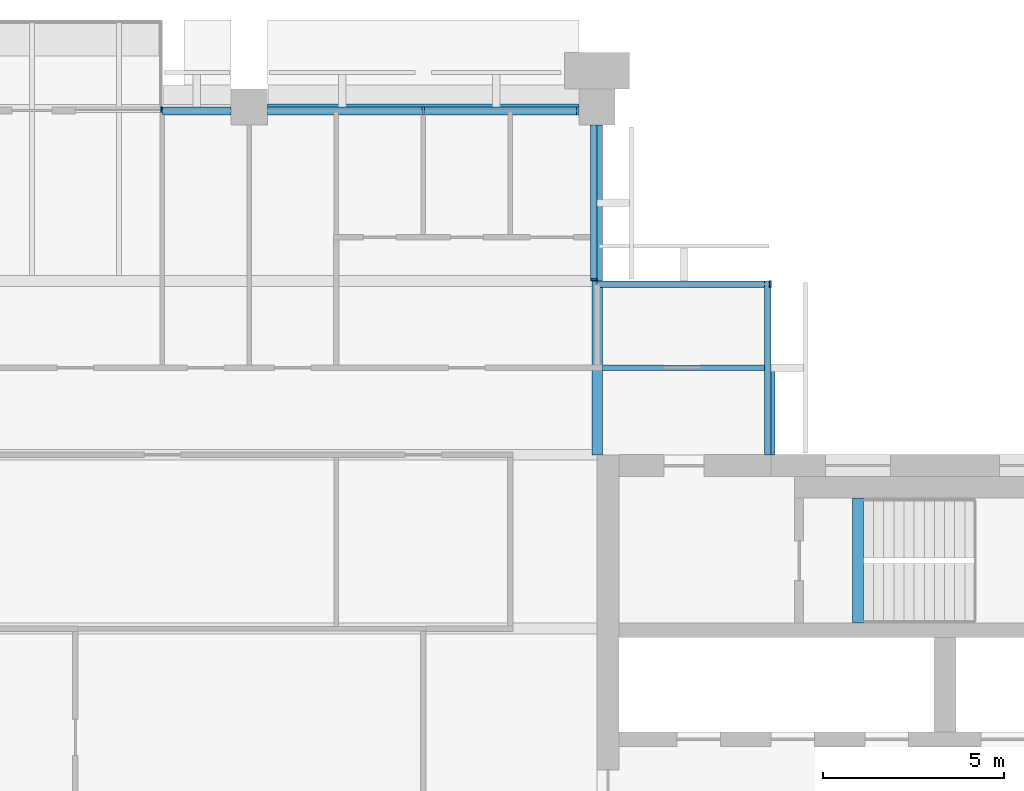
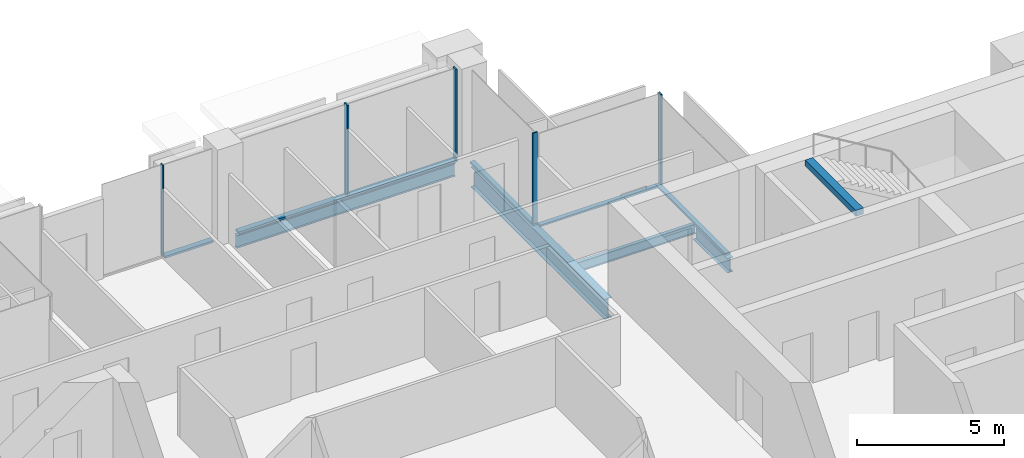
# One storey, part 6 of 13: 10 members, 5 beams, 5 elements without a shape of their own.
"""IFC4 building model written with IfcOpenShell, lengths in metres."""

from ifc_helpers import new_model, si_unit, direction, frame, origin, origin_2d, place, context, subcontext, project, spatial, rectangle, i_section, extrude, material, material_profile, profile_set, type_object, element, aggregate, save


model = new_model("IFC4")

# Units and contexts
model_context = context("Model", 3, precision=1e-05, world=origin(), true_north=direction((0.0, 1.0)))
body_context = subcontext(model_context, "Body", "Model", "MODEL_VIEW")
ifc_project = project(units=[si_unit("LENGTHUNIT", "METRE"), si_unit("AREAUNIT", "SQUARE_METRE"), si_unit("VOLUMEUNIT", "CUBIC_METRE"), si_unit("PLANEANGLEUNIT", "RADIAN"), si_unit("MASSUNIT", "GRAM", prefix="KILO")], contexts=[model_context])

# Site, building, storey
site_placement = place(None, origin())
site = spatial("IfcSite", under=ifc_project, at=site_placement, CompositionType="ELEMENT")
building_placement = place(site_placement, origin())
building = spatial("IfcBuilding", under=site, at=building_placement, Name="Baori Bourse Tower", CompositionType="ELEMENT")
storey_placement = place(building_placement, frame((0.0, 0.0, 314.300048828125)))
storey = spatial("IfcBuildingStorey", under=building, at=storey_placement, Name="L69", CompositionType="ELEMENT", Elevation=314.300048828125)

# Curtain wall, member
ifc_material_1 = material(Name="Pale anodised aluminium", Category="aluminium")
curtain_wall_type_1 = type_object("IfcCurtainWallType", Name="CW2 Curtain wall", PredefinedType="NOTDEFINED", material=ifc_material_1)
curtain_wall_1_placement = place(storey_placement, origin())
curtain_wall_1 = element("IfcCurtainWall", 1, at=curtain_wall_1_placement, inside=storey, type_object=curtain_wall_type_1, Name="Curtain wall CW2 L69 2", PredefinedType="NOTDEFINED")
ifc_material_2 = material(Name="Pale anodised aluminium", Category="aluminium")
ifc_material_profile_1 = material_profile(ifc_material_2, rectangle(XDim=0.179931640625, YDim=0.054931640625, at=origin_2d()), Name="Mullion 55x180")
ifc_profile_set_1 = profile_set([ifc_material_profile_1], Name="Pale anodised aluminium")
member_type_1 = type_object("IfcMemberType", Name="CW2 Curtain wall mullion", PredefinedType="MULLION", material=ifc_profile_set_1)
member_1_placement = place(storey_placement, frame((43.172607421875, 43.110107421875, 0.070068359375), z_axis=(0.0, 0.0, 1.0), x_axis=(0.0, -1.0, 0.0)))
member_1 = element("IfcMember", 2, at=member_1_placement, type_object=member_type_1, Name="Curtain wall CW2 mullion", PredefinedType="MULLION", context=body_context, shape_type="SweptSolid", body=[
    extrude(rectangle(XDim=0.179931640625, YDim=0.054931640625, at=origin_2d()), origin(), (0.0, 0.0, 1.0), 3.769775390625),
])

curtain_wall_2_placement = place(storey_placement, origin())
curtain_wall_2 = element("IfcCurtainWall", 3, at=curtain_wall_2_placement, inside=storey, type_object=curtain_wall_type_1, Name="Curtain wall CW2 L69 3", PredefinedType="NOTDEFINED")
member_2_placement = place(storey_placement, frame((38.31005859375, 43.2275390625, 0.070068359375), z_axis=(0.0, 0.0, 1.0), x_axis=(-1.0, 0.0, 0.0)))
member_2 = element("IfcMember", 4, at=member_2_placement, type_object=member_type_1, Name="Curtain wall CW2 mullion", PredefinedType="MULLION", context=body_context, shape_type="SweptSolid", body=[
    extrude(rectangle(XDim=0.179931640625, YDim=0.054931640625, at=origin_2d()), origin(), (0.0, 0.0, 1.0), 3.769775390625),
])

curtain_wall_3_placement = place(storey_placement, origin())
curtain_wall_3 = element("IfcCurtainWall", 5, at=curtain_wall_3_placement, inside=storey, type_object=curtain_wall_type_1, Name="Curtain wall CW2 L69 1", PredefinedType="NOTDEFINED")
ifc_material_3 = material(Name="Pale anodised aluminium", Category="aluminium")
ifc_material_profile_2 = material_profile(ifc_material_3, rectangle(XDim=0.179931640625, YDim=0.070068359375, at=origin_2d()), Name="Transom 70x180")
ifc_profile_set_2 = profile_set([ifc_material_profile_2], Name="Pale anodised aluminium")
member_type_2 = type_object("IfcMemberType", Name="CW2 Curtain wall transom", PredefinedType="USERDEFINED", material=ifc_profile_set_2)
member_3_placement = place(storey_placement, frame((43.110107421875, 38.39990234375, 0.034912109375), z_axis=(0.0, 1.0, 0.0), x_axis=(-1.0, 0.0, 0.0)))
member_3 = element("IfcMember", 6, at=member_3_placement, type_object=member_type_2, Name="Curtain wall CW2 sill rail", ObjectType="TRANSOM", PredefinedType="USERDEFINED", context=body_context, shape_type="SweptSolid", body=[
    extrude(rectangle(XDim=0.179931640625, YDim=0.070068359375, at=origin_2d()), origin(), (0.0, 0.0, 1.0), 4.800048828125),
])
aggregate(curtain_wall_3, [member_3])

# Member
member_4_placement = place(storey_placement, frame((43.199951171875, 43.110107421875, 0.034912109375), z_axis=(-1.0, 0.0, 0.0), x_axis=(0.0, -1.0, 0.0)))
member_4 = element("IfcMember", 7, at=member_4_placement, type_object=member_type_2, Name="Curtain wall CW2 sill rail", ObjectType="TRANSOM", PredefinedType="USERDEFINED", context=body_context, shape_type="SweptSolid", body=[
    extrude(rectangle(XDim=0.179931640625, YDim=0.070068359375, at=origin_2d()), origin(), (0.0, 0.0, 1.0), 4.800048828125),
])

aggregate(curtain_wall_1, [member_4, member_1])

member_5_placement = place(storey_placement, frame((38.31005859375, 43.199951171875, 0.034912109375), z_axis=(0.0, 1.0, 0.0), x_axis=(-1.0, 0.0, 0.0)))
member_5 = element("IfcMember", 8, at=member_5_placement, type_object=member_type_2, Name="Curtain wall CW2 sill rail", ObjectType="TRANSOM", PredefinedType="USERDEFINED", context=body_context, shape_type="SweptSolid", body=[
    extrude(rectangle(XDim=0.179931640625, YDim=0.070068359375, at=origin_2d()), origin(), (0.0, 0.0, 1.0), 4.300048828125),
])

aggregate(curtain_wall_2, [member_5, member_2])

# Curtain wall, members
ifc_material_4 = material(Name="Pale anodised aluminium", Category="aluminium")
curtain_wall_type_2 = type_object("IfcCurtainWallType", Name="CW5 Curtain wall", PredefinedType="NOTDEFINED", material=ifc_material_4)
curtain_wall_4_placement = place(storey_placement, origin())
curtain_wall_4 = element("IfcCurtainWall", 9, at=curtain_wall_4_placement, inside=storey, type_object=curtain_wall_type_2, Name="Curtain wall CW5 L69 4", PredefinedType="NOTDEFINED")
ifc_material_5 = material(Name="Pale anodised aluminium", Category="aluminium")
ifc_material_profile_3 = material_profile(ifc_material_5, rectangle(XDim=0.219970703125, YDim=0.06494140625, at=origin_2d()), Name="Mullion 65x220")
ifc_profile_set_3 = profile_set([ifc_material_profile_3], Name="Pale anodised aluminium")
member_type_3 = type_object("IfcMemberType", Name="CW5 Curtain wall mullion", PredefinedType="MULLION", material=ifc_profile_set_3)
member_6_placement = place(storey_placement, frame((37.867431640625, 47.889892578125, 0.0849609375), z_axis=(0.0, 0.0, 1.0), x_axis=(0.0, -1.0, 0.0)))
member_6 = element("IfcMember", 10, at=member_6_placement, type_object=member_type_3, Name="Curtain wall CW5 mullion", PredefinedType="MULLION", context=body_context, shape_type="SweptSolid", body=[
    extrude(rectangle(XDim=0.219970703125, YDim=0.06494140625, at=origin_2d()), origin(), (0.0, 0.0, 1.0), 3.7548828125),
])
member_7_placement = place(storey_placement, frame((33.60009765625, 47.889892578125, 0.0849609375), z_axis=(0.0, 0.0, 1.0), x_axis=(0.0, -1.0, 0.0)))
member_7 = element("IfcMember", 11, at=member_7_placement, type_object=member_type_3, Name="Curtain wall CW5 mullion", PredefinedType="MULLION", context=body_context, shape_type="SweptSolid", body=[
    extrude(rectangle(XDim=0.219970703125, YDim=0.06494140625, at=origin_2d()), origin(), (0.0, 0.0, 1.0), 3.7548828125),
])
ifc_material_6 = material(Name="Pale anodised aluminium", Category="aluminium")
ifc_material_profile_4 = material_profile(ifc_material_6, rectangle(XDim=0.219970703125, YDim=0.0849609375, at=origin_2d()), Name="Transom 85x220")
ifc_profile_set_4 = profile_set([ifc_material_profile_4], Name="Pale anodised aluminium")
member_type_4 = type_object("IfcMemberType", Name="CW5 Curtain wall transom", PredefinedType="USERDEFINED", material=ifc_profile_set_4)
member_8_placement = place(storey_placement, frame((37.89990234375, 47.889892578125, 0.04248046875), z_axis=(-1.0, 0.0, 0.0), x_axis=(0.0, -1.0, 0.0)))
member_8 = element("IfcMember", 12, at=member_8_placement, type_object=member_type_4, Name="Curtain wall CW5 sill rail", ObjectType="TRANSOM", PredefinedType="USERDEFINED", context=body_context, shape_type="SweptSolid", body=[
    extrude(rectangle(XDim=0.219970703125, YDim=0.0849609375, at=origin_2d()), origin(), (0.0, 0.0, 1.0), 8.599853515625),
])
member_9_placement = place(storey_placement, frame((28.300048828125, 47.889892578125, 0.04248046875), z_axis=(-1.0, 0.0, 0.0), x_axis=(0.0, -1.0, 0.0)))
member_9 = element("IfcMember", 13, at=member_9_placement, type_object=member_type_4, Name="Curtain wall CW5 sill rail", ObjectType="TRANSOM", PredefinedType="USERDEFINED", context=body_context, shape_type="SweptSolid", body=[
    extrude(rectangle(XDim=0.219970703125, YDim=0.0849609375, at=origin_2d()), origin(), (0.0, 0.0, 1.0), 1.900146484375),
])
aggregate(curtain_wall_4, [member_8, member_6, member_7, member_9])

# Curtain wall, member
ifc_material_7 = material(Name="Pale anodised aluminium", Category="aluminium")
curtain_wall_type_3 = type_object("IfcCurtainWallType", Name="CW6 Curtain wall", PredefinedType="NOTDEFINED", material=ifc_material_7)
curtain_wall_5_placement = place(storey_placement, origin())
curtain_wall_5 = element("IfcCurtainWall", 14, at=curtain_wall_5_placement, inside=storey, type_object=curtain_wall_type_3, Name="Curtain wall CW6 L69 5", PredefinedType="NOTDEFINED")
ifc_material_8 = material(Name="Pale anodised aluminium", Category="aluminium")
ifc_material_profile_5 = material_profile(ifc_material_8, rectangle(XDim=0.14990234375, YDim=0.050048828125, at=origin_2d()), Name="Mullion 50x150")
ifc_profile_set_5 = profile_set([ifc_material_profile_5], Name="Pale anodised aluminium")
member_type_5 = type_object("IfcMemberType", Name="CW6 Curtain wall mullion", PredefinedType="MULLION", material=ifc_profile_set_5)
member_10_placement = place(storey_placement, frame((26.375, 47.925048828125, 0.06494140625), z_axis=(0.0, 0.0, 1.0), x_axis=(0.0, -1.0, 0.0)))
member_10 = element("IfcMember", 15, at=member_10_placement, type_object=member_type_5, Name="Curtain wall CW6 mullion", PredefinedType="MULLION", context=body_context, shape_type="SweptSolid", body=[
    extrude(rectangle(XDim=0.14990234375, YDim=0.050048828125, at=origin_2d()), origin(), (0.0, 0.0, 1.0), 3.77490234375),
])
aggregate(curtain_wall_5, [member_10])

# Beams
ifc_material_9 = material(Name="Steel A992 Gr 50", Category="steel")
ifc_material_profile_6 = material_profile(ifc_material_9, i_section(OverallWidth=0.227783203125, OverallDepth=0.60205078125, WebThickness=0.010498046875, FlangeThickness=0.014892578125, at=origin_2d()), Name="W24x68")
ifc_profile_set_6 = profile_set([ifc_material_profile_6], Name="Steel A992 Gr 50")
beam_type_1 = type_object("IfcBeamType", Name="Core bracket W24x68", PredefinedType="BEAM", material=ifc_profile_set_6)
beam_1_placement = place(storey_placement, frame((43.199951171875, 38.39990234375, -0.4609375), z_axis=(0.0, 1.0, 0.0), x_axis=(-1.0, 0.0, 0.0)))
element("IfcBeam", 16, at=beam_1_placement, inside=storey, type_object=beam_type_1, Name="Core bracket L69", PredefinedType="BEAM", context=body_context, shape_type="SweptSolid", body=[
    extrude(i_section(OverallWidth=0.227783203125, OverallDepth=0.60205078125, WebThickness=0.010498046875, FlangeThickness=0.014892578125, at=origin_2d()), origin(), (0.0, 0.0, 1.0), 2.329833984375),
])
ifc_material_10 = material(Name="Steel A992 Gr 50", Category="steel")
ifc_material_profile_7 = material_profile(ifc_material_10, i_section(OverallWidth=0.1650390625, OverallDepth=0.52587890625, WebThickness=0.0087890625, FlangeThickness=0.011474609375, at=origin_2d()), Name="W21x44")
ifc_profile_set_7 = profile_set([ifc_material_profile_7], Name="Steel A992 Gr 50")
beam_type_2 = type_object("IfcBeamType", Name="Edge beam W21x44", PredefinedType="BEAM", material=ifc_profile_set_7)
beam_2_placement = place(storey_placement, frame((29.300048828125, 48.0, -0.4228515625), z_axis=(1.0, 0.0, 0.0), x_axis=(0.0, 1.0, 0.0)))
element("IfcBeam", 17, at=beam_2_placement, inside=storey, type_object=beam_type_2, Name="Edge beam L69", PredefinedType="BEAM", context=body_context, shape_type="SweptSolid", body=[
    extrude(i_section(OverallWidth=0.1650390625, OverallDepth=0.52587890625, WebThickness=0.0087890625, FlangeThickness=0.011474609375, at=origin_2d()), origin(), (0.0, 0.0, 1.0), 8.599853515625),
])
ifc_material_11 = material(Name="Steel A992 Gr 50", Category="steel")
ifc_material_profile_8 = material_profile(ifc_material_11, i_section(OverallWidth=0.2919921875, OverallDepth=0.835693359375, WebThickness=0.013916015625, FlangeThickness=0.018798828125, at=origin_2d()), Name="W33x118")
ifc_profile_set_8 = profile_set([ifc_material_profile_8], Name="Steel A992 Gr 50")
beam_type_3 = type_object("IfcBeamType", Name="Girder W33x118", PredefinedType="BEAM", material=ifc_profile_set_8)
beam_3_placement = place(storey_placement, frame((38.39990234375, 38.39990234375, -0.577880859375), z_axis=(0.0, 1.0, 0.0), x_axis=(-1.0, 0.0, 0.0)))
element("IfcBeam", 18, at=beam_3_placement, inside=storey, type_object=beam_type_3, Name="Girder L69", PredefinedType="BEAM", context=body_context, shape_type="SweptSolid", body=[
    extrude(i_section(OverallWidth=0.2919921875, OverallDepth=0.835693359375, WebThickness=0.013916015625, FlangeThickness=0.018798828125, at=origin_2d()), origin(), (0.0, 0.0, 1.0), 9.10009765625),
])
ifc_material_12 = material(Name="Concrete f'c 50 MPa", Category="concrete")
ifc_material_profile_9 = material_profile(ifc_material_12, rectangle(XDim=0.300048828125, YDim=0.25, at=origin_2d()), Name="RC 300x250")
ifc_profile_set_9 = profile_set([ifc_material_profile_9], Name="Concrete f'c 50 MPa")
beam_type_4 = type_object("IfcBeamType", Name="Stair nib beam RC 300x250", PredefinedType="BEAM", material=ifc_profile_set_9)
beam_4_placement = place(storey_placement, frame((45.60009765625, 33.75, 3.71484375), z_axis=(0.0, 1.0, 0.0), x_axis=(-1.0, 0.0, 0.0)))
element("IfcBeam", 19, at=beam_4_placement, inside=storey, type_object=beam_type_4, Name="Stair EB nib beam L70", PredefinedType="BEAM", context=body_context, shape_type="SweptSolid", body=[
    extrude(rectangle(XDim=0.300048828125, YDim=0.25, at=origin_2d()), origin(), (0.0, 0.0, 1.0), 3.449951171875),
])
ifc_material_13 = material(Name="Steel A992 Gr 50", Category="steel")
ifc_material_profile_10 = material_profile(ifc_material_13, i_section(OverallWidth=0.140380859375, OverallDepth=0.40380859375, WebThickness=0.007080078125, FlangeThickness=0.01123046875, at=origin_2d()), Name="W16x31")
ifc_profile_set_10 = profile_set([ifc_material_profile_10], Name="Steel A992 Gr 50")
beam_type_5 = type_object("IfcBeamType", Name="Trimmer beam W16x31", PredefinedType="BEAM", material=ifc_profile_set_10)
beam_5_placement = place(storey_placement, frame((38.546142578125, 40.800048828125, -0.362060546875), z_axis=(1.0, 0.0, 0.0), x_axis=(0.0, 1.0, 0.0)))
element("IfcBeam", 20, at=beam_5_placement, inside=storey, type_object=beam_type_5, Name="Trimmer beam L69", PredefinedType="BEAM", context=body_context, shape_type="SweptSolid", body=[
    extrude(i_section(OverallWidth=0.140380859375, OverallDepth=0.40380859375, WebThickness=0.007080078125, FlangeThickness=0.01123046875, at=origin_2d()), origin(), (0.0, 0.0, 1.0), 4.65380859375),
])

save(model, "model.ifc")
